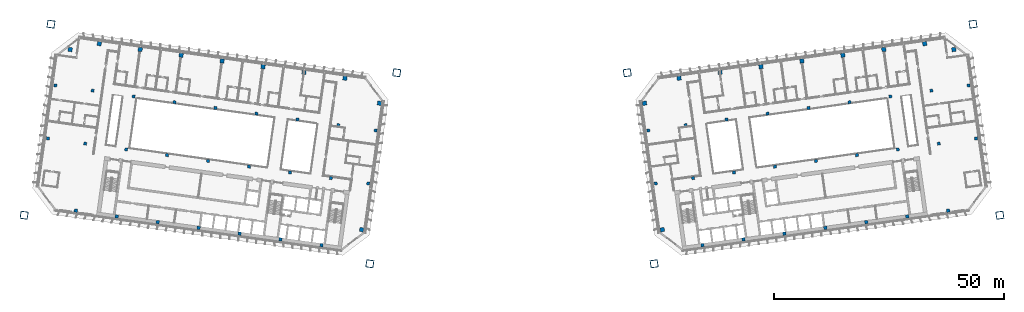
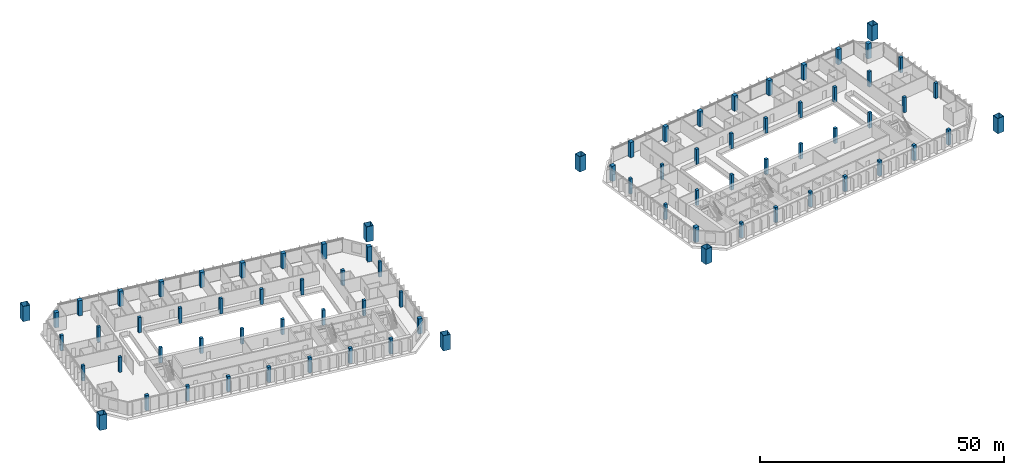
# One storey, part 1 of 25: 78 columns.
"""IFC4 building model written with IfcOpenShell, lengths in metres."""

from ifc_helpers import new_model, si_unit, direction, frame, origin, origin_2d, place, context, subcontext, project, spatial, rectangle, hollow_rectangle, extrude, material, material_profile, profile_set, type_object, element, save


model = new_model("IFC4")

# Units and contexts
model_context = context("Model", 3, precision=1e-05, world=origin(), true_north=direction((0.0, 1.0)))
body_context = subcontext(model_context, "Body", "Model", "MODEL_VIEW")
ifc_project = project(units=[si_unit("LENGTHUNIT", "METRE"), si_unit("AREAUNIT", "SQUARE_METRE"), si_unit("VOLUMEUNIT", "CUBIC_METRE"), si_unit("PLANEANGLEUNIT", "RADIAN"), si_unit("MASSUNIT", "GRAM", prefix="KILO")], contexts=[model_context])

# Site, building, storey
site_placement = place(None, origin())
site = spatial("IfcSite", under=ifc_project, at=site_placement, CompositionType="ELEMENT")
building_placement = place(site_placement, origin())
building = spatial("IfcBuilding", under=site, at=building_placement, Name="Mirante Cascada Hotel Towers", CompositionType="ELEMENT")
storey_placement = place(building_placement, frame((0.0, 0.0, 136.7)))
storey = spatial("IfcBuildingStorey", under=building, at=storey_placement, Name="L31", CompositionType="ELEMENT", Elevation=136.7)

# Columns
ifc_material_1 = material(Name="Steel ASTM A572 Gr 50", Category="steel")
ifc_material_profile_1 = material_profile(ifc_material_1, hollow_rectangle(XDim=1.6, YDim=1.6, WallThickness=0.07, at=origin_2d()), Name="Box column 1600x1600x70 ASTM A572 Gr 50")
ifc_profile_set_1 = profile_set([ifc_material_profile_1], Name="Steel ASTM A572 Gr 50")
column_type_1 = type_object("IfcColumnType", Name="Box column 1600x1600x70 ASTM A572 Gr 50", PredefinedType="COLUMN", material=ifc_profile_set_1)
for number, where, z_axis, x_axis, name in (
    (1, (-25.0968, 18.5173, 0.0), (0.0, 0.0, 1.0), (-0.9902681, 0.1391731, 0.0), "Mega column MC1 T1 L31"),
    (2, (-30.9421, -23.074, 0.0), (0.0, 0.0, 1.0), (-0.9902681, 0.1391731, 0.0), "Mega column MC2 T1 L31"),
    (3, (-100.3572, 29.0944, 0.0), (0.0, 0.0, 1.0), (-0.9902681, 0.1391731, 0.0), "Mega column MC3 T1 L31"),
    (4, (-106.2025, -12.4968, 0.0), (0.0, 0.0, 1.0), (-0.9902681, 0.1391731, 0.0), "Mega column MC4 T1 L31"),
    (5, (25.0968, 18.5173, 0.0), (0.0, 0.0, 1.0), (0.9902681, 0.1391731, 0.0), "Mega column MC1 T2 L31"),
    (6, (30.9421, -23.074, 0.0), (0.0, 0.0, 1.0), (0.9902681, 0.1391731, 0.0), "Mega column MC2 T2 L31"),
    (7, (100.3572, 29.0944, 0.0), (0.0, 0.0, 1.0), (0.9902681, 0.1391731, 0.0), "Mega column MC3 T2 L31"),
    (8, (106.2025, -12.4968, 0.0), (0.0, 0.0, 1.0), (0.9902681, 0.1391731, 0.0), "Mega column MC4 T2 L31"),
):
    element("IfcColumn", number, at=place(storey_placement, frame(where, z_axis=z_axis, x_axis=x_axis)), inside=storey, type_object=column_type_1, Name=name, PredefinedType="COLUMN", context=body_context, shape_type="SweptSolid", body=[
        extrude(hollow_rectangle(XDim=1.6, YDim=1.6, WallThickness=0.07, at=origin_2d()), origin(), (0.0, 0.0, 1.0), 3.8),
    ])
ifc_material_2 = material(Name="Concrete C60/75", Category="concrete")
ifc_material_profile_2 = material_profile(ifc_material_2, rectangle(XDim=0.65, YDim=0.65, at=origin_2d()), Name="RC column 650x650 C60/75")
ifc_profile_set_2 = profile_set([ifc_material_profile_2], Name="Concrete C60/75")
column_type_2 = type_object("IfcColumnType", Name="RC column 650x650 C60/75", PredefinedType="COLUMN", material=ifc_profile_set_2)
for number, where, z_axis, x_axis, name in (
    (9, (-29.6893, 5.9592, 0.0), (0.0, 0.0, 1.0), (-0.9902681, 0.1391731, 0.0), "Column T1 L31 2"),
    (10, (-31.3106, -5.5774, 0.0), (0.0, 0.0, 1.0), (-0.9902681, 0.1391731, 0.0), "Column T1 L31 3"),
    (11, (-37.8095, 7.1004, 0.0), (0.0, 0.0, 1.0), (-0.9902681, 0.1391731, 0.0), "Column T1 L31 6"),
    (12, (-39.4308, -4.4362, 0.0), (0.0, 0.0, 1.0), (-0.9902681, 0.1391731, 0.0), "Column T1 L31 7"),
    (13, (-46.7219, 8.353, 0.0), (0.0, 0.0, 1.0), (-0.9902681, 0.1391731, 0.0), "Column T1 L31 10"),
    (14, (-48.3432, -3.1836, 0.0), (0.0, 0.0, 1.0), (-0.9902681, 0.1391731, 0.0), "Column T1 L31 11"),
    (15, (-55.6343, 9.6055, 0.0), (0.0, 0.0, 1.0), (-0.9902681, 0.1391731, 0.0), "Column T1 L31 14"),
    (16, (-57.2557, -1.9311, 0.0), (0.0, 0.0, 1.0), (-0.9902681, 0.1391731, 0.0), "Column T1 L31 15"),
    (17, (-64.5467, 10.8581, 0.0), (0.0, 0.0, 1.0), (-0.9902681, 0.1391731, 0.0), "Column T1 L31 18"),
    (18, (-66.1681, -0.6785, 0.0), (0.0, 0.0, 1.0), (-0.9902681, 0.1391731, 0.0), "Column T1 L31 19"),
    (19, (-73.4591, 12.1107, 0.0), (0.0, 0.0, 1.0), (-0.9902681, 0.1391731, 0.0), "Column T1 L31 22"),
    (20, (-75.0805, 0.574, 0.0), (0.0, 0.0, 1.0), (-0.9902681, 0.1391731, 0.0), "Column T1 L31 23"),
    (21, (-82.3715, 13.3632, 0.0), (0.0, 0.0, 1.0), (-0.9902681, 0.1391731, 0.0), "Column T1 L31 26"),
    (22, (-83.9929, 1.8266, 0.0), (0.0, 0.0, 1.0), (-0.9902681, 0.1391731, 0.0), "Column T1 L31 27"),
    (23, (-91.2839, 14.6158, 0.0), (0.0, 0.0, 1.0), (-0.9902681, 0.1391731, 0.0), "Column T1 L31 30"),
    (24, (-92.9053, 3.0792, 0.0), (0.0, 0.0, 1.0), (-0.9902681, 0.1391731, 0.0), "Column T1 L31 31"),
    (25, (-99.4041, 15.757, 0.0), (0.0, 0.0, 1.0), (-0.9902681, 0.1391731, 0.0), "Column T1 L31 34"),
    (26, (-101.0255, 4.2204, 0.0), (0.0, 0.0, 1.0), (-0.9902681, 0.1391731, 0.0), "Column T1 L31 35"),
    (27, (29.6893, 5.9592, 0.0), (0.0, 0.0, 1.0), (0.9902681, 0.1391731, 0.0), "Column T2 L31 2"),
    (28, (31.3106, -5.5774, 0.0), (0.0, 0.0, 1.0), (0.9902681, 0.1391731, 0.0), "Column T2 L31 3"),
    (29, (37.8095, 7.1004, 0.0), (0.0, 0.0, 1.0), (0.9902681, 0.1391731, 0.0), "Column T2 L31 6"),
    (30, (39.4308, -4.4362, 0.0), (0.0, 0.0, 1.0), (0.9902681, 0.1391731, 0.0), "Column T2 L31 7"),
    (31, (46.7219, 8.353, 0.0), (0.0, 0.0, 1.0), (0.9902681, 0.1391731, 0.0), "Column T2 L31 10"),
    (32, (48.3432, -3.1836, 0.0), (0.0, 0.0, 1.0), (0.9902681, 0.1391731, 0.0), "Column T2 L31 11"),
    (33, (55.6343, 9.6055, 0.0), (0.0, 0.0, 1.0), (0.9902681, 0.1391731, 0.0), "Column T2 L31 14"),
    (34, (57.2557, -1.9311, 0.0), (0.0, 0.0, 1.0), (0.9902681, 0.1391731, 0.0), "Column T2 L31 15"),
    (35, (64.5467, 10.8581, 0.0), (0.0, 0.0, 1.0), (0.9902681, 0.1391731, 0.0), "Column T2 L31 18"),
    (36, (66.1681, -0.6785, 0.0), (0.0, 0.0, 1.0), (0.9902681, 0.1391731, 0.0), "Column T2 L31 19"),
    (37, (73.4591, 12.1107, 0.0), (0.0, 0.0, 1.0), (0.9902681, 0.1391731, 0.0), "Column T2 L31 22"),
    (38, (75.0805, 0.574, 0.0), (0.0, 0.0, 1.0), (0.9902681, 0.1391731, 0.0), "Column T2 L31 23"),
    (39, (82.3715, 13.3632, 0.0), (0.0, 0.0, 1.0), (0.9902681, 0.1391731, 0.0), "Column T2 L31 26"),
    (40, (83.9929, 1.8266, 0.0), (0.0, 0.0, 1.0), (0.9902681, 0.1391731, 0.0), "Column T2 L31 27"),
    (41, (91.2839, 14.6158, 0.0), (0.0, 0.0, 1.0), (0.9902681, 0.1391731, 0.0), "Column T2 L31 30"),
    (42, (92.9053, 3.0792, 0.0), (0.0, 0.0, 1.0), (0.9902681, 0.1391731, 0.0), "Column T2 L31 31"),
    (43, (99.4041, 15.757, 0.0), (0.0, 0.0, 1.0), (0.9902681, 0.1391731, 0.0), "Column T2 L31 34"),
    (44, (101.0255, 4.2204, 0.0), (0.0, 0.0, 1.0), (0.9902681, 0.1391731, 0.0), "Column T2 L31 35"),
):
    element("IfcColumn", number, at=place(storey_placement, frame(where, z_axis=z_axis, x_axis=x_axis)), inside=storey, type_object=column_type_2, Name=name, PredefinedType="COLUMN", context=body_context, shape_type="SweptSolid", body=[
        extrude(rectangle(XDim=0.65, YDim=0.65, at=origin_2d()), origin(), (0.0, 0.0, 1.0), 3.8),
    ])
ifc_material_3 = material(Name="Concrete C60/75", Category="concrete")
ifc_material_profile_3 = material_profile(ifc_material_3, rectangle(XDim=0.7, YDim=0.7, at=origin_2d()), Name="RC column 700x700 C60/75")
ifc_profile_set_3 = profile_set([ifc_material_profile_3], Name="Concrete C60/75")
column_type_3 = type_object("IfcColumnType", Name="RC column 700x700 C60/75", PredefinedType="COLUMN", material=ifc_profile_set_3)
for number, where, z_axis, x_axis, name in (
    (45, (-41.4802, -19.0179, 0.0), (0.0, 0.0, 1.0), (-0.9902681, 0.1391731, 0.0), "Column T1 L31 8"),
    (46, (-50.3926, -17.7653, 0.0), (0.0, 0.0, 1.0), (-0.9902681, 0.1391731, 0.0), "Column T1 L31 12"),
    (47, (-59.305, -16.5128, 0.0), (0.0, 0.0, 1.0), (-0.9902681, 0.1391731, 0.0), "Column T1 L31 16"),
    (48, (-68.2174, -15.2602, 0.0), (0.0, 0.0, 1.0), (-0.9902681, 0.1391731, 0.0), "Column T1 L31 20"),
    (49, (-77.1298, -14.0077, 0.0), (0.0, 0.0, 1.0), (-0.9902681, 0.1391731, 0.0), "Column T1 L31 24"),
    (50, (-86.0422, -12.7551, 0.0), (0.0, 0.0, 1.0), (-0.9902681, 0.1391731, 0.0), "Column T1 L31 28"),
    (51, (-94.9546, -11.5025, 0.0), (0.0, 0.0, 1.0), (-0.9902681, 0.1391731, 0.0), "Column T1 L31 32"),
    (52, (41.4802, -19.0179, 0.0), (0.0, 0.0, 1.0), (0.9902681, 0.1391731, 0.0), "Column T2 L31 8"),
    (53, (50.3926, -17.7653, 0.0), (0.0, 0.0, 1.0), (0.9902681, 0.1391731, 0.0), "Column T2 L31 12"),
    (54, (59.305, -16.5128, 0.0), (0.0, 0.0, 1.0), (0.9902681, 0.1391731, 0.0), "Column T2 L31 16"),
    (55, (68.2174, -15.2602, 0.0), (0.0, 0.0, 1.0), (0.9902681, 0.1391731, 0.0), "Column T2 L31 20"),
    (56, (77.1298, -14.0077, 0.0), (0.0, 0.0, 1.0), (0.9902681, 0.1391731, 0.0), "Column T2 L31 24"),
    (57, (86.0422, -12.7551, 0.0), (0.0, 0.0, 1.0), (0.9902681, 0.1391731, 0.0), "Column T2 L31 28"),
    (58, (94.9546, -11.5025, 0.0), (0.0, 0.0, 1.0), (0.9902681, 0.1391731, 0.0), "Column T2 L31 32"),
):
    element("IfcColumn", number, at=place(storey_placement, frame(where, z_axis=z_axis, x_axis=x_axis)), inside=storey, type_object=column_type_3, Name=name, PredefinedType="COLUMN", context=body_context, shape_type="SweptSolid", body=[
        extrude(rectangle(XDim=0.7, YDim=0.7, at=origin_2d()), origin(), (0.0, 0.0, 1.0), 3.8),
    ])
ifc_material_4 = material(Name="Concrete C60/75", Category="concrete")
ifc_material_profile_4 = material_profile(ifc_material_4, rectangle(XDim=0.9, YDim=0.9, at=origin_2d()), Name="RC column 900x900 C60/75")
ifc_profile_set_4 = profile_set([ifc_material_profile_4], Name="Concrete C60/75")
column_type_4 = type_object("IfcColumnType", Name="RC column 900x900 C60/75", PredefinedType="COLUMN", material=ifc_profile_set_4)
for number, where, z_axis, x_axis, name in (
    (59, (-28.8577, 11.8761, 0.0), (0.0, 0.0, 1.0), (-0.9902681, 0.1391731, 0.0), "Column T1 L31 1"),
    (60, (-32.7267, -15.6534, 0.0), (0.0, 0.0, 1.0), (-0.9902681, 0.1391731, 0.0), "Column T1 L31 4"),
    (61, (-36.3725, 17.325, 0.0), (0.0, 0.0, 1.0), (-0.9902681, 0.1391731, 0.0), "Column T1 L31 5"),
    (62, (-45.2849, 18.5775, 0.0), (0.0, 0.0, 1.0), (-0.9902681, 0.1391731, 0.0), "Column T1 L31 9"),
    (63, (-54.1973, 19.8301, 0.0), (0.0, 0.0, 1.0), (-0.9902681, 0.1391731, 0.0), "Column T1 L31 13"),
    (64, (-63.1097, 21.0826, 0.0), (0.0, 0.0, 1.0), (-0.9902681, 0.1391731, 0.0), "Column T1 L31 17"),
    (65, (-72.0222, 22.3352, 0.0), (0.0, 0.0, 1.0), (-0.9902681, 0.1391731, 0.0), "Column T1 L31 21"),
    (66, (-80.9346, 23.5877, 0.0), (0.0, 0.0, 1.0), (-0.9902681, 0.1391731, 0.0), "Column T1 L31 25"),
    (67, (-89.847, 24.8403, 0.0), (0.0, 0.0, 1.0), (-0.9902681, 0.1391731, 0.0), "Column T1 L31 29"),
    (68, (-96.1868, 23.5602, 0.0), (0.0, 0.0, 1.0), (-0.9902681, 0.1391731, 0.0), "Column T1 L31 33"),
    (69, (28.8577, 11.8761, 0.0), (0.0, 0.0, 1.0), (0.9902681, 0.1391731, 0.0), "Column T2 L31 1"),
    (70, (32.7267, -15.6534, 0.0), (0.0, 0.0, 1.0), (0.9902681, 0.1391731, 0.0), "Column T2 L31 4"),
    (71, (36.3725, 17.325, 0.0), (0.0, 0.0, 1.0), (0.9902681, 0.1391731, 0.0), "Column T2 L31 5"),
    (72, (45.2849, 18.5775, 0.0), (0.0, 0.0, 1.0), (0.9902681, 0.1391731, 0.0), "Column T2 L31 9"),
    (73, (54.1973, 19.8301, 0.0), (0.0, 0.0, 1.0), (0.9902681, 0.1391731, 0.0), "Column T2 L31 13"),
    (74, (63.1097, 21.0826, 0.0), (0.0, 0.0, 1.0), (0.9902681, 0.1391731, 0.0), "Column T2 L31 17"),
    (75, (72.0222, 22.3352, 0.0), (0.0, 0.0, 1.0), (0.9902681, 0.1391731, 0.0), "Column T2 L31 21"),
    (76, (80.9346, 23.5877, 0.0), (0.0, 0.0, 1.0), (0.9902681, 0.1391731, 0.0), "Column T2 L31 25"),
    (77, (89.847, 24.8403, 0.0), (0.0, 0.0, 1.0), (0.9902681, 0.1391731, 0.0), "Column T2 L31 29"),
    (78, (96.1868, 23.5602, 0.0), (0.0, 0.0, 1.0), (0.9902681, 0.1391731, 0.0), "Column T2 L31 33"),
):
    element("IfcColumn", number, at=place(storey_placement, frame(where, z_axis=z_axis, x_axis=x_axis)), inside=storey, type_object=column_type_4, Name=name, PredefinedType="COLUMN", context=body_context, shape_type="SweptSolid", body=[
        extrude(rectangle(XDim=0.9, YDim=0.9, at=origin_2d()), origin(), (0.0, 0.0, 1.0), 3.8),
    ])

save(model, "model.ifc")
